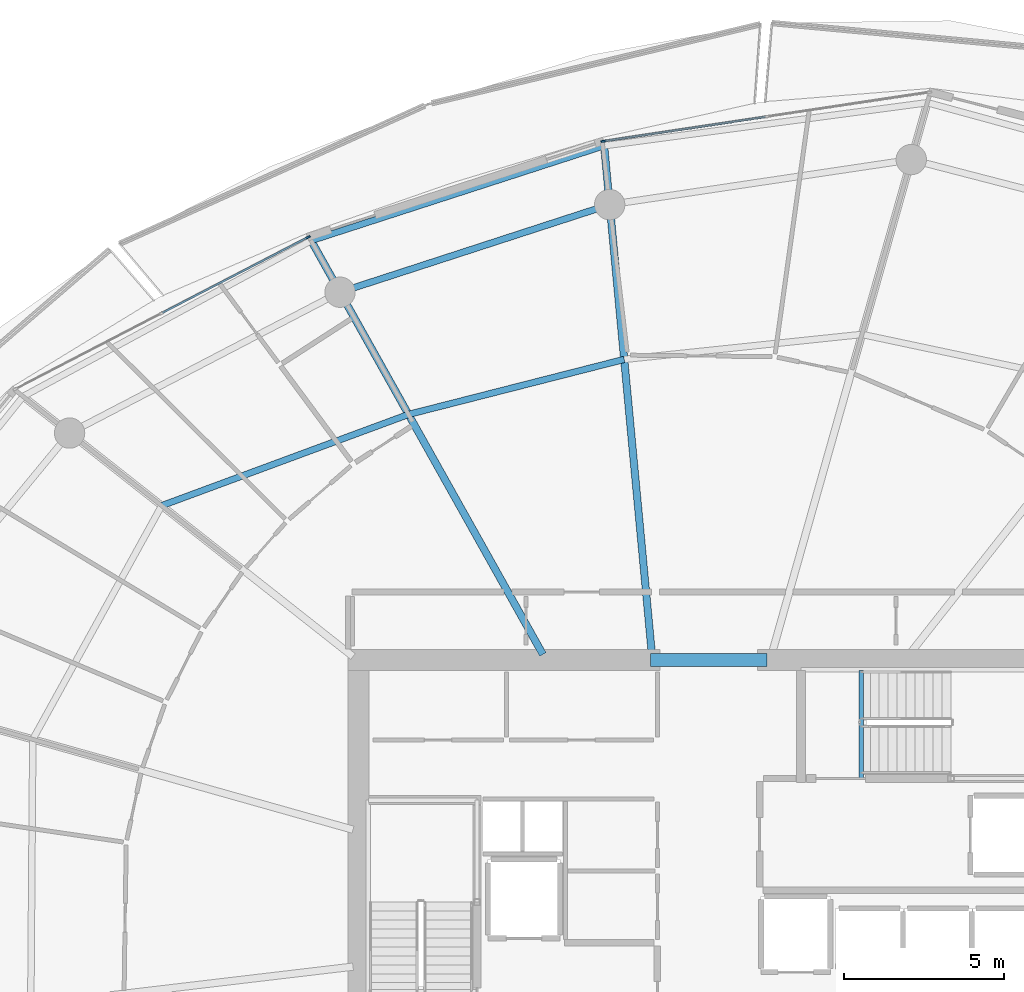
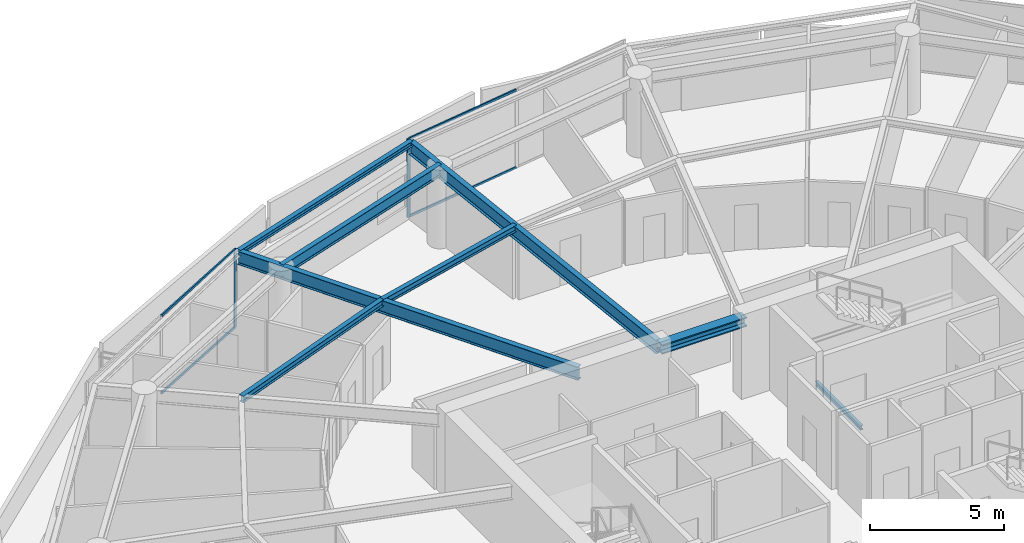
# One storey, part 13 of 31: 8 beams, 6 members, 2 elements without a shape of their own.
"""IFC4 building model written with IfcOpenShell, lengths in metres."""

import ifcopenshell
import ifcopenshell.guid

model = None  # the IFC model being written
_history = None  # IfcOwnerHistory: only IFC2X3 demands one
_inside = {}  # id of a spatial element -> (the spatial element, [elements in it])
_under = {}  # id of a project, library or spatial element -> (it, [spatial elements below it])
_declared = {}  # id of a project -> (the project, [libraries it declares])
_typed = {}  # id of a type object -> (the type object, [elements of that type])
_made_of = {}  # id of a material, layer set ... -> (it, [elements and type objects made of it])


def new_model(schema):
    """Start an empty IFC model of exactly this schema.

    Asked for "IFC4X3", IfcOpenShell would pick the latest addendum, in which some entities
    have other attributes; the version numbers below select the first issue.
    IFC2X3 requires an IfcOwnerHistory on every rooted entity: one is made here for all.
    """
    global model, _history
    if schema == "IFC4X3":
        model = ifcopenshell.file(schema_version=(4, 3, 0, 0))
    else:
        model = ifcopenshell.file(schema=schema)
    _inside.clear()
    _under.clear()
    _declared.clear()
    _typed.clear()
    _made_of.clear()
    _history = None
    if model.schema == "IFC2X3":
        org = make("IfcOrganization", Name="unknown")
        user = make(
            "IfcPersonAndOrganization",
            ThePerson=make("IfcPerson", FamilyName="unknown"),
            TheOrganization=org,
        )
        app = make(
            "IfcApplication",
            ApplicationDeveloper=org,
            Version="unknown",
            ApplicationFullName="unknown",
            ApplicationIdentifier="unknown",
        )
        _history = make(
            "IfcOwnerHistory",
            OwningUser=user,
            OwningApplication=app,
            ChangeAction="ADDED",
            CreationDate=0,
        )
    return model


def make(cls, **values):
    """One entity of the class cls with the attributes given. An attribute that is None is left unset."""
    return model.create_entity(
        cls, **{name: value for name, value in values.items() if value is not None}
    )


def rooted(cls, **values):
    """An entity with a GlobalId (a new one), such as an element, a storey or a relation."""
    return make(cls, GlobalId=ifcopenshell.guid.new(), OwnerHistory=_history, **values)


def si_unit(unit_type, name, prefix=None):
    """IfcSIUnit, for example si_unit("LENGTHUNIT", "METRE", prefix="MILLI")."""
    return make("IfcSIUnit", UnitType=unit_type, Prefix=prefix, Name=name)


def assignment(units):
    """IfcUnitAssignment: the units of a project."""
    return None if units is None else make("IfcUnitAssignment", Units=units)


def point(xyz):
    """IfcCartesianPoint."""
    return None if xyz is None else make("IfcCartesianPoint", Coordinates=xyz)


def direction(xyz):
    """IfcDirection."""
    return None if xyz is None else make("IfcDirection", DirectionRatios=xyz)


def frame(location, z_axis=None, x_axis=None):
    """IfcAxis2Placement3D, a coordinate frame: its origin and axes. An axis left out is left unset."""
    return make(
        "IfcAxis2Placement3D",
        Location=point(location),
        Axis=direction(z_axis),
        RefDirection=direction(x_axis),
    )


def frame_2d(location, x_axis=None):
    """IfcAxis2Placement2D, a coordinate frame in the plane: its origin and x axis."""
    return make(
        "IfcAxis2Placement2D", Location=point(location), RefDirection=direction(x_axis)
    )


def origin():
    """The frame at (0, 0, 0) with its axes left unset."""
    return frame((0.0, 0.0, 0.0))


def origin_2d():
    """The frame at (0, 0) in the plane with its x axis left unset."""
    return frame_2d((0.0, 0.0))


def place(relative_to, where):
    """IfcLocalPlacement: puts the frame where relative to a parent placement (None: the world)."""
    return make(
        "IfcLocalPlacement", PlacementRelTo=relative_to, RelativePlacement=where
    )


def context(
    kind, dimensions, precision=None, world=None, true_north=None, identifier=None
):
    """IfcGeometricRepresentationContext, for example the 3D "Model" context."""
    return make(
        "IfcGeometricRepresentationContext",
        ContextIdentifier=identifier,
        ContextType=kind,
        CoordinateSpaceDimension=dimensions,
        Precision=precision,
        WorldCoordinateSystem=world,
        TrueNorth=true_north,
    )


def subcontext(parent, identifier, kind, view, scale=None):
    """IfcGeometricRepresentationSubContext, for example "Body" below "Model"."""
    return make(
        "IfcGeometricRepresentationSubContext",
        ContextIdentifier=identifier,
        ContextType=kind,
        ParentContext=parent,
        TargetScale=scale,
        TargetView=view,
    )


def project(units=None, contexts=None):
    """IfcProject with its units and contexts."""
    return rooted(
        "IfcProject",
        Name="project",
        RepresentationContexts=contexts,
        UnitsInContext=assignment(units),
    )


def spatial(cls, under=None, at=None, **own):
    """A site, building, storey or space (cls), placed at a placement, below another one or the project."""
    s = rooted(cls, ObjectPlacement=at, **own)
    if under is not None:
        _under.setdefault(under.id(), (under, []))[1].append(s)
    return s


def profile(cls, at=None, kind="AREA", **sizes):
    """A parametric profile (cls). Its sizes go by their IFC names, for example OverallWidth=200.0."""
    return make(cls, ProfileType=kind, Position=at, **sizes)


def rectangle(**sizes):
    """IfcRectangleProfileDef."""
    return profile("IfcRectangleProfileDef", **sizes)


def i_section(**sizes):
    """IfcIShapeProfileDef."""
    return profile("IfcIShapeProfileDef", **sizes)


def extrude(swept, where, along, depth):
    """IfcExtrudedAreaSolid: the profile swept, set in the frame where, extruded along a direction by depth."""
    return make(
        "IfcExtrudedAreaSolid",
        SweptArea=swept,
        Position=where,
        ExtrudedDirection=direction(along),
        Depth=depth,
    )


def shape(context_of_items, identifier, shape_type, items):
    """IfcShapeRepresentation: the items that make up one representation, for example the "Body"."""
    return make(
        "IfcShapeRepresentation",
        ContextOfItems=context_of_items,
        RepresentationIdentifier=identifier,
        RepresentationType=shape_type,
        Items=items,
    )


def material(Name=None, Category=None):
    """IfcMaterial."""
    return make("IfcMaterial", Name=Name, Category=Category)


def layer(
    of_material, thickness, ventilated=None, Name=None, Category=None, Priority=None
):
    """IfcMaterialLayer: one layer of a wall or slab, of a material (None: an air gap)."""
    return make(
        "IfcMaterialLayer",
        Material=of_material,
        LayerThickness=thickness,
        IsVentilated=ventilated,
        Name=Name,
        Category=Category,
        Priority=Priority,
    )


def layer_set(layers, Name=None):
    """IfcMaterialLayerSet."""
    return make("IfcMaterialLayerSet", MaterialLayers=layers, LayerSetName=Name)


def material_profile(
    of_material, cross_section, Name=None, Category=None, Priority=None
):
    """IfcMaterialProfile: a cross section and its material."""
    return make(
        "IfcMaterialProfile",
        Name=Name,
        Material=of_material,
        Profile=cross_section,
        Priority=Priority,
        Category=Category,
    )


def profile_set(profiles, Name=None, composite=None):
    """IfcMaterialProfileSet."""
    return make(
        "IfcMaterialProfileSet",
        Name=Name,
        MaterialProfiles=profiles,
        CompositeProfile=composite,
    )


def made_of(thing, what):
    """Note that an element or type object is made of a material, layer set ...; save() writes the relation."""
    if what is not None:
        _made_of.setdefault(what.id(), (what, []))[1].append(thing)
    return thing


def type_object(cls, material=None, **own):
    """A type object (cls), such as IfcWallType, which elements share."""
    return made_of(rooted(cls, **own), material)


def element(
    cls,
    number,
    at=None,
    inside=None,
    cuts=None,
    type_object=None,
    material=None,
    context=None,
    identifier="Body",
    shape_type=None,
    held_by="IfcProductDefinitionShape",
    body=None,
    shapes=None,
    **own,
):
    """One element of the class cls, such as IfcWall. Its Tag is "e" and its number.

    at: its placement. inside: the storey or other place that contains it. cuts: it is an
    opening in that element (IfcRelVoidsElement). A single representation is given by context,
    identifier, shape_type and body (its items); several are given by shapes. held_by: the class
    of the entity that holds the representations. save() writes the other relations.
    """
    e = rooted(cls, Tag="e%d" % number, ObjectPlacement=at, **own)
    if body is not None:
        shapes = [shape(context, identifier, shape_type, body)]
    if shapes is not None:
        e.Representation = make(held_by, Representations=shapes)
    if inside is not None:
        _inside.setdefault(inside.id(), (inside, []))[1].append(e)
    if cuts is not None:
        rooted(
            "IfcRelVoidsElement", RelatingBuildingElement=cuts, RelatedOpeningElement=e
        )
    if type_object is not None:
        _typed.setdefault(type_object.id(), (type_object, []))[1].append(e)
    return made_of(e, material)


def aggregate(whole, parts):
    """IfcRelAggregates: a whole, such as a stair, and the parts it consists of."""
    return rooted("IfcRelAggregates", RelatingObject=whole, RelatedObjects=parts)


def save(model, path):
    """Write the relations noted so far, then the file.

    IfcRelAggregates (storeys below a building ...), IfcRelContainedInSpatialStructure (elements
    in a storey), IfcRelDefinesByType, IfcRelAssociatesMaterial and IfcRelDeclares: one each for
    every whole, place, type object, material and project.
    """
    for whole, parts in _under.values():
        aggregate(whole, parts)
    for where, things in _inside.values():
        rooted(
            "IfcRelContainedInSpatialStructure",
            RelatedElements=things,
            RelatingStructure=where,
        )
    for kind, things in _typed.values():
        rooted("IfcRelDefinesByType", RelatedObjects=things, RelatingType=kind)
    for what, things in _made_of.values():
        rooted("IfcRelAssociatesMaterial", RelatedObjects=things, RelatingMaterial=what)
    for by, libraries in _declared.values():
        rooted("IfcRelDeclares", RelatingContext=by, RelatedDefinitions=libraries)
    model.write(path)


model = new_model("IFC4")

# Units and contexts
model_context = context("Model", 3, precision=1e-05, world=origin(), true_north=direction((0.0, 1.0)))
body_context = subcontext(model_context, "Body", "Model", "MODEL_VIEW")
ifc_project = project(units=[si_unit("LENGTHUNIT", "METRE"), si_unit("AREAUNIT", "SQUARE_METRE"), si_unit("VOLUMEUNIT", "CUBIC_METRE"), si_unit("PLANEANGLEUNIT", "RADIAN"), si_unit("MASSUNIT", "GRAM", prefix="KILO")], contexts=[model_context])

# Site, building, storey
site_placement = place(None, origin())
site = spatial("IfcSite", under=ifc_project, at=site_placement, CompositionType="ELEMENT")
building_placement = place(site_placement, origin())
building = spatial("IfcBuilding", under=site, at=building_placement, Name="Kazma Halo Residences", CompositionType="ELEMENT")
storey_placement = place(building_placement, frame((0.0, 0.0, 248.25)))
storey = spatial("IfcBuildingStorey", under=building, at=storey_placement, Name="L62", CompositionType="ELEMENT", Elevation=248.25)

# Beams
ifc_material_1 = material(Name="Steel S355", Category="steel")
ifc_material_profile_1 = material_profile(ifc_material_1, i_section(OverallWidth=0.201904296875, OverallDepth=0.2470703125, WebThickness=0.00732421875, FlangeThickness=0.010986328125, FilletRadius=0.011962890625, at=origin_2d()), Name="W250x49.1")
ifc_profile_set_1 = profile_set([ifc_material_profile_1], Name="Steel S355")
beam_type_1 = type_object("IfcBeamType", Name="BM-BAL-CANT", PredefinedType="BEAM", material=ifc_profile_set_1)
beam_1_placement = place(storey_placement, frame((45.155517578125, 66.41259765625, 3.466552734375), z_axis=(-0.951357597741, -0.308088820344, 0.0), x_axis=(0.308088820344, -0.951357597741, 0.0)))
element("IfcBeam", 1, at=beam_1_placement, inside=storey, type_object=beam_type_1, Name="L62 wave-balcony tie beam 04", PredefinedType="BEAM", context=body_context, shape_type="SweptSolid", body=[
    extrude(i_section(OverallWidth=0.201904296875, OverallDepth=0.2470703125, WebThickness=0.00732421875, FlangeThickness=0.010986328125, FilletRadius=0.011962890625, at=origin_2d()), origin(), (0.0, 0.0, 1.0), 9.633544921875),
])
ifc_material_profile_2 = material_profile(ifc_material_1, i_section(OverallWidth=0.408935546875, OverallDepth=0.425048828125, WebThickness=0.03271484375, FlangeThickness=0.052490234375, FilletRadius=0.02001953125, at=origin_2d()), Name="W360x421")
ifc_profile_set_2 = profile_set([ifc_material_profile_2], Name="Steel S355")
beam_type_2 = type_object("IfcBeamType", Name="BM-CORE-W360H", PredefinedType="BEAM", material=ifc_profile_set_2)
beam_2_placement = place(storey_placement, frame((46.60009765625, 50.324951171875, 3.37744140625), z_axis=(1.0, 0.0, 0.0), x_axis=(0.0, 1.0, 0.0)))
element("IfcBeam", 2, at=beam_2_placement, inside=storey, type_object=beam_type_2, Name="L62 core coupling beam N", PredefinedType="BEAM", context=body_context, shape_type="SweptSolid", body=[
    extrude(i_section(OverallWidth=0.408935546875, OverallDepth=0.425048828125, WebThickness=0.03271484375, FlangeThickness=0.052490234375, FilletRadius=0.02001953125, at=origin_2d()), origin(), (0.0, 0.0, 1.0), 3.64990234375),
])
ifc_material_profile_3 = material_profile(ifc_material_1, i_section(OverallWidth=0.22802734375, OverallDepth=0.60791015625, WebThickness=0.01123046875, FlangeThickness=0.017333984375, FilletRadius=0.01806640625, at=origin_2d()), Name="W610x113")
ifc_profile_set_3 = profile_set([ifc_material_profile_3], Name="Steel S355")
beam_type_3 = type_object("IfcBeamType", Name="BM-RAD-W610", PredefinedType="BEAM", material=ifc_profile_set_3)
beam_3_placement = place(storey_placement, frame((46.64990234375, 50.5, 3.285888671875), z_axis=(-0.093500648044, 0.995619218786, 0.0), x_axis=(-0.995619218786, -0.093500648044, 0.0)))
element("IfcBeam", 3, at=beam_3_placement, inside=storey, type_object=beam_type_3, Name="L62 radial floor beam 04", PredefinedType="BEAM", context=body_context, shape_type="SweptSolid", body=[
    extrude(i_section(OverallWidth=0.22802734375, OverallDepth=0.60791015625, WebThickness=0.01123046875, FlangeThickness=0.017333984375, FilletRadius=0.01806640625, at=origin_2d()), origin(), (0.0, 0.0, 1.0), 15.982666015625),
])
beam_4_placement = place(storey_placement, frame((43.23974609375, 50.5, 3.285888671875), z_axis=(-0.488618902548, 0.872497316943, 0.0), x_axis=(-0.872497316943, -0.488618902548, 0.0)))
element("IfcBeam", 4, at=beam_4_placement, inside=storey, type_object=beam_type_3, Name="L62 radial floor beam 05", PredefinedType="BEAM", context=body_context, shape_type="SweptSolid", body=[
    extrude(i_section(OverallWidth=0.22802734375, OverallDepth=0.60791015625, WebThickness=0.01123046875, FlangeThickness=0.017333984375, FilletRadius=0.01806640625, at=origin_2d()), origin(), (0.0, 0.0, 1.0), 14.836181640625),
])
ifc_material_profile_4 = material_profile(ifc_material_1, i_section(OverallWidth=0.202880859375, OverallDepth=0.302978515625, WebThickness=0.007568359375, FlangeThickness=0.01318359375, FilletRadius=0.013916015625, at=origin_2d()), Name="W310x60")
ifc_profile_set_4 = profile_set([ifc_material_profile_4], Name="Steel S355")
beam_type_4 = type_object("IfcBeamType", Name="BM-SEC-W310A", PredefinedType="JOIST", material=ifc_profile_set_4)
beam_5_placement = place(storey_placement, frame((45.783203125, 59.7294921875, 3.4384765625), z_axis=(-0.968957746759, -0.2472263841, 0.0), x_axis=(0.2472263841, -0.968957746759, 0.0)))
element("IfcBeam", 5, at=beam_5_placement, inside=storey, type_object=beam_type_4, Name="L62 circumferential floor joist 04", PredefinedType="JOIST", context=body_context, shape_type="SweptSolid", body=[
    extrude(i_section(OverallWidth=0.202880859375, OverallDepth=0.302978515625, WebThickness=0.007568359375, FlangeThickness=0.01318359375, FilletRadius=0.013916015625, at=origin_2d()), origin(), (0.0, 0.0, 1.0), 6.9638671875),
])
beam_6_placement = place(storey_placement, frame((39.035400390625, 58.0078125, 3.4384765625), z_axis=(-0.937943961726, -0.346786857683, 0.0), x_axis=(0.346786857683, -0.937943961726, 0.0)))
element("IfcBeam", 6, at=beam_6_placement, inside=storey, type_object=beam_type_4, Name="L62 circumferential floor joist 05", PredefinedType="JOIST", context=body_context, shape_type="SweptSolid", body=[
    extrude(i_section(OverallWidth=0.202880859375, OverallDepth=0.302978515625, WebThickness=0.007568359375, FlangeThickness=0.01318359375, FilletRadius=0.013916015625, at=origin_2d()), origin(), (0.0, 0.0, 1.0), 8.231201171875),
])
ifc_material_profile_5 = material_profile(ifc_material_1, i_section(OverallWidth=0.208984375, OverallDepth=0.532958984375, WebThickness=0.01025390625, FlangeThickness=0.015625, FilletRadius=0.01611328125, at=origin_2d()), Name="W530x92")
ifc_profile_set_5 = profile_set([ifc_material_profile_5], Name="Steel S355")
beam_type_5 = type_object("IfcBeamType", Name="BM-SPN-W530", PredefinedType="BEAM", material=ifc_profile_set_5)
beam_7_placement = place(storey_placement, frame((45.32861328125, 64.57080078125, 3.323486328125), z_axis=(-0.951053893407, -0.309025066679, 0.0), x_axis=(0.309025066679, -0.951053893407, 0.0)))
element("IfcBeam", 7, at=beam_7_placement, inside=storey, type_object=beam_type_5, Name="L62 perimeter ring beam 04", PredefinedType="BEAM", context=body_context, shape_type="SweptSolid", body=[
    extrude(i_section(OverallWidth=0.208984375, OverallDepth=0.532958984375, WebThickness=0.01025390625, FlangeThickness=0.015625, FilletRadius=0.01611328125, at=origin_2d()), origin(), (0.0, 0.0, 1.0), 8.8681640625),
])
ifc_material_profile_6 = material_profile(ifc_material_1, i_section(OverallWidth=0.133056640625, OverallDepth=0.20703125, WebThickness=0.005859375, FlangeThickness=0.00830078125, FilletRadius=0.010009765625, at=origin_2d()), Name="W200x26.6")
ifc_profile_set_6 = profile_set([ifc_material_profile_6], Name="Steel S355")
beam_type_6 = type_object("IfcBeamType", Name="BM-TRIM-W200", PredefinedType="BEAM", material=ifc_profile_set_6)
beam_8_placement = place(storey_placement, frame((53.199951171875, 46.6201171875, -0.3701171875), z_axis=(0.0, 1.0, 0.0), x_axis=(-1.0, 0.0, 0.0)))
element("IfcBeam", 8, at=beam_8_placement, inside=storey, type_object=beam_type_6, Name="L62 ST-02 floor landing support beam", PredefinedType="BEAM", context=body_context, shape_type="SweptSolid", body=[
    extrude(i_section(OverallWidth=0.133056640625, OverallDepth=0.20703125, WebThickness=0.005859375, FlangeThickness=0.00830078125, FilletRadius=0.010009765625, at=origin_2d()), origin(), (0.0, 0.0, 1.0), 3.3798828125),
])

# Curtain wall, member
ifc_material_2 = material(Name="Aluminium AW-6063 T6 and Triple-Silver Low-E Glass", Category="aluminium")
ifc_layer = layer(ifc_material_2, 0.139892578125)
ifc_layer_set = layer_set([ifc_layer], Name="Aluminium AW-6063 T6 and Triple-Silver Low-E Glass")
curtain_wall_type = type_object("IfcCurtainWallType", Name="CW-SYS-5", PredefinedType="NOTDEFINED", material=ifc_layer_set)
curtain_wall_1_placement = place(storey_placement, origin())
curtain_wall_1 = element("IfcCurtainWall", 9, at=curtain_wall_1_placement, inside=storey, type_object=curtain_wall_type, Name="L62 unitised curtain wall B03", PredefinedType="NOTDEFINED")
ifc_material_3 = material(Name="Aluminium AW-6063 T6", Category="aluminium")
ifc_material_profile_7 = material_profile(ifc_material_3, rectangle(XDim=0.06005859375, YDim=0.139892578125, at=origin_2d()), Name="CWM-60x140")
ifc_profile_set_7 = profile_set([ifc_material_profile_7], Name="Aluminium AW-6063 T6")
member_type_1 = type_object("IfcMemberType", Name="CW-SYS-5-MUL", PredefinedType="MULLION", material=ifc_profile_set_7)
member_1_placement = place(storey_placement, frame((45.124267578125, 66.552734375, 0.0), z_axis=(0.0, 0.0, 1.0), x_axis=(0.148697080374, -0.988882792998, 0.0)))
member_1 = element("IfcMember", 10, at=member_1_placement, type_object=member_type_1, Name="CWS-5 mullion 3", PredefinedType="MULLION", context=body_context, shape_type="SweptSolid", body=[
    extrude(rectangle(XDim=0.06005859375, YDim=0.139892578125, at=origin_2d()), origin(), (0.0, 0.0, 1.0), 3.590087890625),
])

curtain_wall_2_placement = place(storey_placement, origin())
curtain_wall_2 = element("IfcCurtainWall", 11, at=curtain_wall_2_placement, inside=storey, type_object=curtain_wall_type, Name="L62 unitised curtain wall B05", PredefinedType="NOTDEFINED")
member_2_placement = place(storey_placement, frame((35.894775390625, 63.553955078125, 0.0), z_axis=(0.0, 0.0, 1.0), x_axis=(0.460960760804, -0.887420518694, 0.0)))
member_2 = element("IfcMember", 12, at=member_2_placement, type_object=member_type_1, Name="CWS-5 mullion 1", PredefinedType="MULLION", context=body_context, shape_type="SweptSolid", body=[
    extrude(rectangle(XDim=0.06005859375, YDim=0.139892578125, at=origin_2d()), origin(), (0.0, 0.0, 1.0), 3.590087890625),
])

# Member
ifc_material_profile_8 = material_profile(ifc_material_3, rectangle(XDim=0.06005859375, YDim=0.10498046875, at=origin_2d()), Name="CWT-60x105")
ifc_profile_set_8 = profile_set([ifc_material_profile_8], Name="Aluminium AW-6063 T6")
member_type_2 = type_object("IfcMemberType", Name="CW-SYS-5-TRN", PredefinedType="USERDEFINED", material=ifc_profile_set_8)
member_3_placement = place(storey_placement, frame((50.19677734375, 67.3154296875, 0.030029296875), z_axis=(-0.988882913569, -0.148696278541, 0.0), x_axis=(0.148696278541, -0.988882913569, 0.0)))
member_3 = element("IfcMember", 13, at=member_3_placement, type_object=member_type_2, Name="CWS-5 transom 2.1", ObjectType="TRANSOM", PredefinedType="USERDEFINED", context=body_context, shape_type="SweptSolid", body=[
    extrude(rectangle(XDim=0.06005859375, YDim=0.10498046875, at=origin_2d()), origin(), (0.0, 0.0, 1.0), 5.099609375),
])

member_4_placement = place(storey_placement, frame((50.19677734375, 67.3154296875, 3.56005859375), z_axis=(-0.988882913569, -0.148696278541, 0.0), x_axis=(0.148696278541, -0.988882913569, 0.0)))
member_4 = element("IfcMember", 14, at=member_4_placement, type_object=member_type_2, Name="CWS-5 transom 2.2", ObjectType="TRANSOM", PredefinedType="USERDEFINED", context=body_context, shape_type="SweptSolid", body=[
    extrude(rectangle(XDim=0.06005859375, YDim=0.10498046875, at=origin_2d()), origin(), (0.0, 0.0, 1.0), 5.099609375),
])

aggregate(curtain_wall_1, [member_1, member_3, member_4])

member_5_placement = place(storey_placement, frame((35.8681640625, 63.5400390625, 0.030029296875), z_axis=(-0.887436955863, -0.46092911534, 0.0), x_axis=(0.46092911534, -0.887436955863, 0.0)))
member_5 = element("IfcMember", 15, at=member_5_placement, type_object=member_type_2, Name="CWS-5 transom 1.1", ObjectType="TRANSOM", PredefinedType="USERDEFINED", context=body_context, shape_type="SweptSolid", body=[
    extrude(rectangle(XDim=0.06005859375, YDim=0.10498046875, at=origin_2d()), origin(), (0.0, 0.0, 1.0), 5.099609375),
])

member_6_placement = place(storey_placement, frame((35.8681640625, 63.5400390625, 3.56005859375), z_axis=(-0.887436955863, -0.46092911534, 0.0), x_axis=(0.46092911534, -0.887436955863, 0.0)))
member_6 = element("IfcMember", 16, at=member_6_placement, type_object=member_type_2, Name="CWS-5 transom 1.2", ObjectType="TRANSOM", PredefinedType="USERDEFINED", context=body_context, shape_type="SweptSolid", body=[
    extrude(rectangle(XDim=0.06005859375, YDim=0.10498046875, at=origin_2d()), origin(), (0.0, 0.0, 1.0), 5.099609375),
])

aggregate(curtain_wall_2, [member_2, member_5, member_6])

save(model, "model.ifc")
